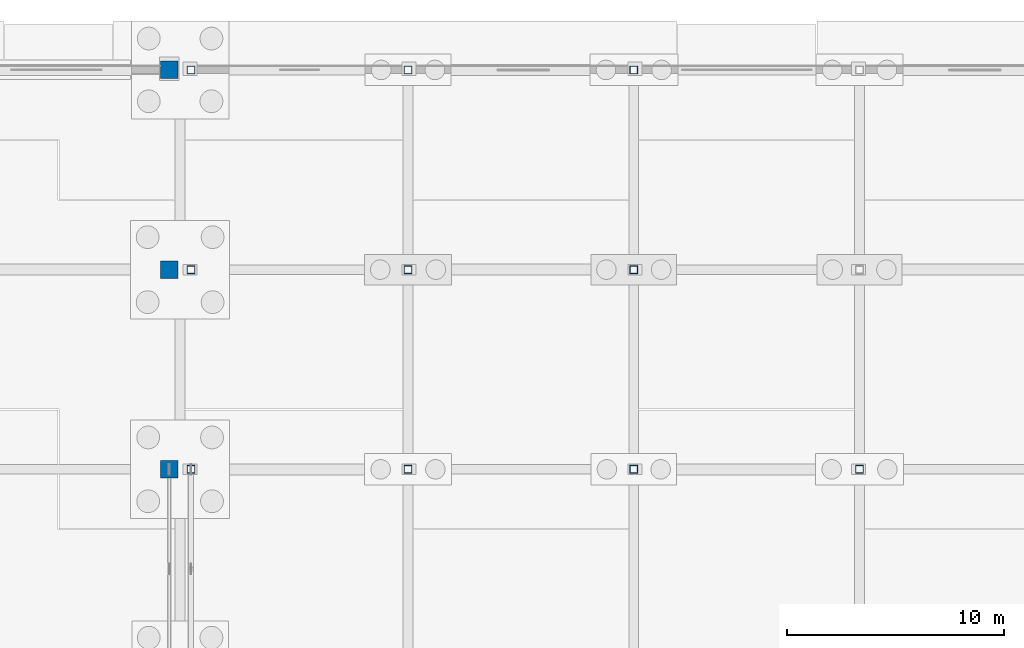
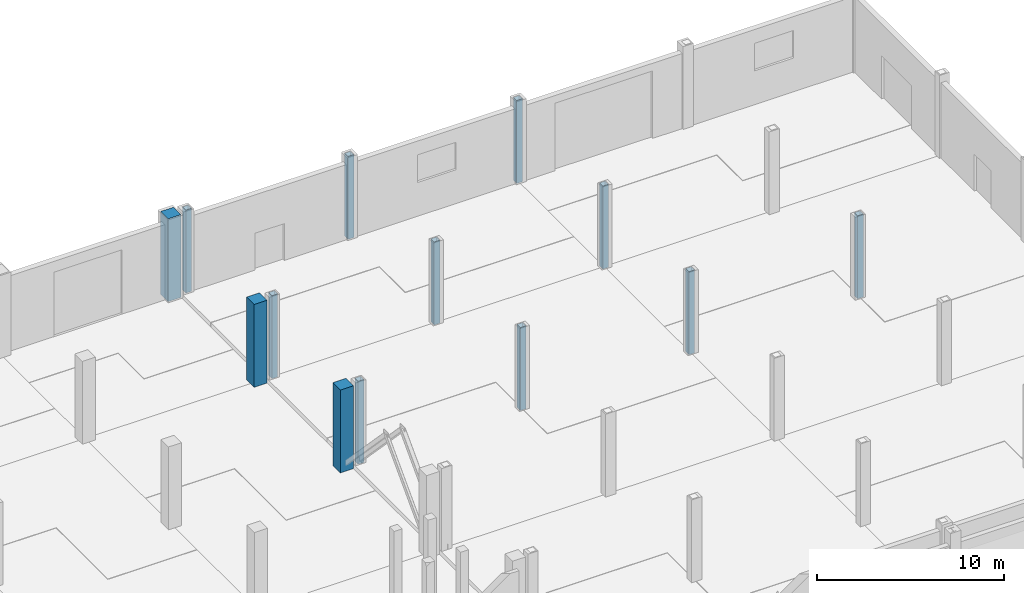
# One storey, part 34 of 83: 13 columns.
"""IFC4 building model written with IfcOpenShell, lengths in metres."""

from ifc_helpers import new_model, si_unit, direction, frame, origin, origin_2d, place, context, subcontext, project, spatial, rectangle, hollow_rectangle, extrude, material, material_profile, profile_set, type_object, element, save


model = new_model("IFC4")

# Units and contexts
model_context = context("Model", 3, precision=1e-05, world=origin(), true_north=direction((0.0, 1.0)))
body_context = subcontext(model_context, "Body", "Model", "MODEL_VIEW")
ifc_project = project(units=[si_unit("LENGTHUNIT", "METRE"), si_unit("AREAUNIT", "SQUARE_METRE"), si_unit("VOLUMEUNIT", "CUBIC_METRE"), si_unit("PLANEANGLEUNIT", "RADIAN"), si_unit("MASSUNIT", "GRAM", prefix="KILO")], contexts=[model_context])

# Site, building, storey
site_placement = place(None, origin())
site = spatial("IfcSite", under=ifc_project, at=site_placement, CompositionType="ELEMENT")
building_placement = place(site_placement, origin())
building = spatial("IfcBuilding", under=site, at=building_placement, Name="Caurita Quay Ferry Terminal", CompositionType="ELEMENT")
storey_placement = place(building_placement, origin())
storey = spatial("IfcBuildingStorey", under=building, at=storey_placement, Name="L00", CompositionType="ELEMENT", Elevation=0.0)

# Columns
ifc_material_1 = material(Name="Hollow structural steel ASTM A500 Gr. C", Category="steel")
ifc_material_profile_1 = material_profile(ifc_material_1, hollow_rectangle(XDim=0.35595703125, YDim=0.35595703125, WallThickness=0.01171875, at=origin_2d()), Name="HSS14X14X1/2")
ifc_profile_set_1 = profile_set([ifc_material_profile_1], Name="Hollow structural steel ASTM A500 Gr. C")
column_type_1 = type_object("IfcColumnType", Name="COL-HSS-01", PredefinedType="COLUMN", material=ifc_profile_set_1)
for number, where, z_axis, x_axis, name in (
    (1, (132.800048828125, 98.60009765625, 0.0), (0.0, 0.0, 1.0), (1.0, 0.0, 0.0), "L00 Column V4-15-P"),
    (2, (132.800048828125, 107.800048828125, 0.0), (0.0, 0.0, 1.0), (1.0, 0.0, 0.0), "L00 Column V4-15-Q"),
    (3, (132.800048828125, 117.0, 0.0), (0.0, 0.0, 1.0), (1.0, 0.0, 0.0), "L00 Column V4-15-R"),
    (4, (142.800048828125, 98.60009765625, 0.0), (0.0, 0.0, 1.0), (1.0, 0.0, 0.0), "L00 Column V4-16-P"),
    (5, (142.800048828125, 107.800048828125, 0.0), (0.0, 0.0, 1.0), (1.0, 0.0, 0.0), "L00 Column V4-16-Q"),
    (6, (142.800048828125, 117.0, 0.0), (0.0, 0.0, 1.0), (1.0, 0.0, 0.0), "L00 Column V4-16-R"),
    (7, (153.199951171875, 98.60009765625, 0.0), (0.0, 0.0, 1.0), (1.0, 0.0, 0.0), "L00 Column V4-17-P"),
    (8, (153.199951171875, 107.800048828125, 0.0), (0.0, 0.0, 1.0), (1.0, 0.0, 0.0), "L00 Column V4-17-Q"),
    (9, (153.199951171875, 117.0, 0.0), (0.0, 0.0, 1.0), (1.0, 0.0, 0.0), "L00 Column V4-17-R"),
    (10, (163.60009765625, 98.60009765625, 0.0), (0.0, 0.0, 1.0), (1.0, 0.0, 0.0), "L00 Column V4-18-P"),
):
    element("IfcColumn", number, at=place(storey_placement, frame(where, z_axis=z_axis, x_axis=x_axis)), inside=storey, type_object=column_type_1, Name=name, PredefinedType="COLUMN", context=body_context, shape_type="SweptSolid", body=[
        extrude(hollow_rectangle(XDim=0.35595703125, YDim=0.35595703125, WallThickness=0.01171875, at=origin_2d()), origin(), (0.0, 0.0, 1.0), 5.39990234375),
    ])
ifc_material_2 = material(Name="Marine reinforced concrete C40/50", Category="concrete")
ifc_material_profile_2 = material_profile(ifc_material_2, rectangle(XDim=0.800048828125, YDim=0.800048828125, at=origin_2d()), Name="RC-COL-800X800")
ifc_profile_set_2 = profile_set([ifc_material_profile_2], Name="Marine reinforced concrete C40/50")
column_type_2 = type_object("IfcColumnType", Name="COL-RC-800", PredefinedType="COLUMN", material=ifc_profile_set_2)
for number, where, z_axis, x_axis, name in (
    (11, (131.800048828125, 98.60009765625, 0.0), (0.0, 0.0, 1.0), (1.0, 0.0, 0.0), "L00 Column V4-14-P"),
    (12, (131.800048828125, 107.800048828125, 0.0), (0.0, 0.0, 1.0), (1.0, 0.0, 0.0), "L00 Column V4-14-Q"),
    (13, (131.800048828125, 117.0, 0.0), (0.0, 0.0, 1.0), (1.0, 0.0, 0.0), "L00 Column V4-14-R"),
):
    element("IfcColumn", number, at=place(storey_placement, frame(where, z_axis=z_axis, x_axis=x_axis)), inside=storey, type_object=column_type_2, Name=name, PredefinedType="COLUMN", context=body_context, shape_type="SweptSolid", body=[
        extrude(rectangle(XDim=0.800048828125, YDim=0.800048828125, at=origin_2d()), origin(), (0.0, 0.0, 1.0), 5.39990234375),
    ])

save(model, "model.ifc")
